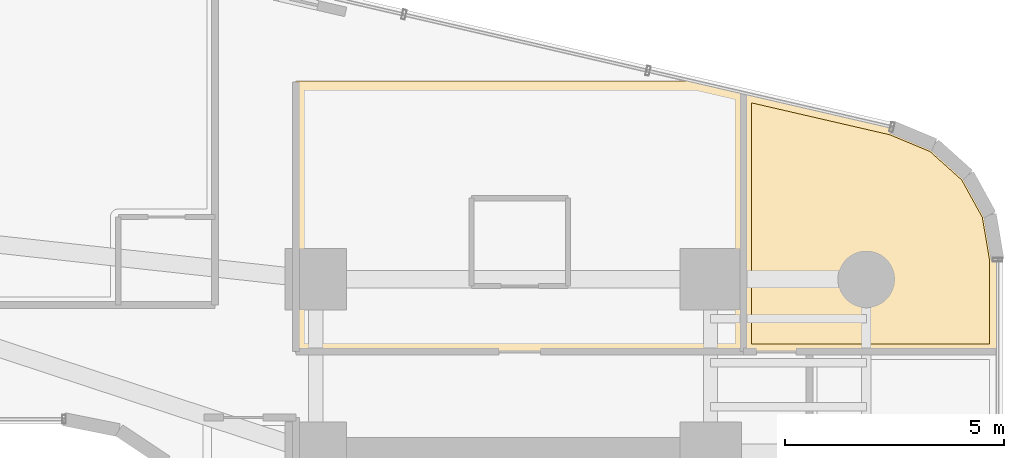
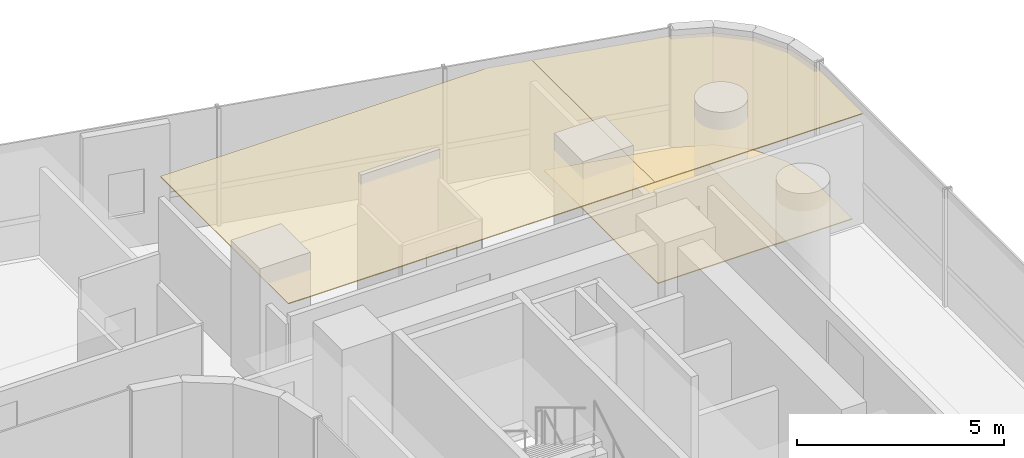
# One storey, part 40 of 40: 3 coverings.
"""IFC4 building model written with IfcOpenShell, lengths in metres."""

from ifc_helpers import new_model, si_unit, direction, frame, origin, place, context, subcontext, project, spatial, polyline, outline, extrude, material, layer, layer_set, type_object, element, save


model = new_model("IFC4")

# Units and contexts
model_context = context("Model", 3, precision=1e-05, world=origin(), true_north=direction((0.0, 1.0)))
body_context = subcontext(model_context, "Body", "Model", "MODEL_VIEW")
ifc_project = project(units=[si_unit("LENGTHUNIT", "METRE"), si_unit("AREAUNIT", "SQUARE_METRE"), si_unit("VOLUMEUNIT", "CUBIC_METRE"), si_unit("PLANEANGLEUNIT", "RADIAN"), si_unit("MASSUNIT", "GRAM", prefix="KILO")], contexts=[model_context])

# Site, building, storey
site_placement = place(None, origin())
site = spatial("IfcSite", under=ifc_project, at=site_placement, CompositionType="ELEMENT")
building_placement = place(site_placement, origin())
building = spatial("IfcBuilding", under=site, at=building_placement, Name="Valdorenza Pilgrim Sanctuary Tower", CompositionType="ELEMENT")
storey_placement = place(building_placement, frame((0.0, 0.0, 92.60009765625)))
storey = spatial("IfcBuildingStorey", under=building, at=storey_placement, Name="L23", CompositionType="ELEMENT", Elevation=92.60009765625)

# Coverings
ifc_material_1 = material(Name="Micro-perforated acoustic mineral ceiling tile", Category="gypsum")
ifc_layer_1 = layer(ifc_material_1, 0.02490234375, Name="Micro-perforated acoustic mineral ceiling tile")
ifc_layer_set_1 = layer_set([ifc_layer_1], Name="Micro-perforated acoustic mineral ceiling tile")
covering_type_1 = type_object("IfcCoveringType", Name="COV-CLG-ACU", PredefinedType="CEILING", material=ifc_layer_set_1)
covering_1_placement = place(storey_placement, frame((0.0, 0.0, 3.159912109375)))
element("IfcCovering", 1, at=covering_1_placement, inside=storey, type_object=covering_type_1, Name="L23 East North Guest Room L23-EN1 Acoustic Ceiling", PredefinedType="CEILING", context=body_context, shape_type="SweptSolid", body=[
    extrude(outline(polyline([(24.5107421875, 18.014892578125), (24.512451171875, 18.014892578125), (24.51416015625, 18.0146484375), (25.603515625, 17.76318359375), (25.604736328125, 17.762939453125), (25.606201171875, 17.76220703125), (25.607421875, 17.76171875), (25.608642578125, 17.760986328125), (25.609619140625, 17.760009765625), (25.61083984375, 17.759033203125), (25.61181640625, 17.758056640625), (25.612548828125, 17.7568359375), (25.61328125, 17.755615234375), (25.614013671875, 17.75439453125), (25.614501953125, 17.7529296875), (25.61474609375, 17.75146484375), (25.614990234375, 17.75), (25.614990234375, 17.74853515625), (25.614990234375, 11.85009765625), (25.614990234375, 11.848388671875), (25.61474609375, 11.84716796875), (25.614501953125, 11.845703125), (25.614013671875, 11.84423828125), (25.61328125, 11.843017578125), (25.612548828125, 11.841796875), (25.611572265625, 11.840576171875), (25.610595703125, 11.83935546875), (25.609619140625, 11.83837890625), (25.6083984375, 11.83740234375), (25.607177734375, 11.8369140625), (25.605712890625, 11.836181640625), (25.6044921875, 11.835693359375), (25.602783203125, 11.835205078125), (25.6015625, 11.835205078125), (25.60009765625, 11.8349609375), (15.39990234375, 11.8349609375), (15.3984375, 11.835205078125), (15.397216796875, 11.835205078125), (15.3955078125, 11.835693359375), (15.394287109375, 11.836181640625), (15.392822265625, 11.8369140625), (15.3916015625, 11.83740234375), (15.390380859375, 11.83837890625), (15.389404296875, 11.83935546875), (15.388427734375, 11.840576171875), (15.387451171875, 11.841796875), (15.38671875, 11.843017578125), (15.385986328125, 11.84423828125), (15.385498046875, 11.845703125), (15.38525390625, 11.84716796875), (15.385009765625, 11.848388671875), (15.385009765625, 11.85009765625), (15.385009765625, 18.0), (15.385009765625, 18.00146484375), (15.38525390625, 18.0029296875), (15.385498046875, 18.00439453125), (15.385986328125, 18.005615234375), (15.38671875, 18.007080078125), (15.387451171875, 18.00830078125), (15.388427734375, 18.009521484375), (15.389404296875, 18.010498046875), (15.390380859375, 18.01171875), (15.3916015625, 18.012451171875), (15.392822265625, 18.01318359375), (15.394287109375, 18.013916015625), (15.3955078125, 18.014404296875), (15.397216796875, 18.0146484375), (15.3984375, 18.014892578125), (15.39990234375, 18.014892578125), (24.5107421875, 18.014892578125)])), origin(), (0.0, 0.0, 1.0), 0.02490234375),
])
covering_2_placement = place(storey_placement, frame((0.0, 0.0, 3.159912109375)))
element("IfcCovering", 2, at=covering_2_placement, inside=storey, type_object=covering_type_1, Name="L23 East Wing Reference Library L23-BNE Acoustic Ceiling", PredefinedType="CEILING", context=body_context, shape_type="SweptSolid", body=[
    extrude(outline(polyline([(28.9892578125, 16.98193359375), (28.990478515625, 16.981689453125), (28.99169921875, 16.981201171875), (29.95361328125, 16.580322265625), (29.955078125, 16.57958984375), (29.95654296875, 16.57861328125), (29.9580078125, 16.57763671875), (30.72705078125, 15.88818359375), (30.728271484375, 15.886962890625), (30.729248046875, 15.8857421875), (30.72998046875, 15.88427734375), (31.22900390625, 14.97998046875), (31.2294921875, 14.978271484375), (31.230224609375, 14.976806640625), (31.230712890625, 14.97509765625), (31.40478515625, 13.947509765625), (31.40478515625, 13.9462890625), (31.405029296875, 13.945068359375), (31.405029296875, 11.85009765625), (31.40478515625, 11.848388671875), (31.40478515625, 11.84716796875), (31.404296875, 11.845703125), (31.40380859375, 11.84423828125), (31.4033203125, 11.843017578125), (31.402587890625, 11.841796875), (31.401611328125, 11.840576171875), (31.400634765625, 11.83935546875), (31.3994140625, 11.83837890625), (31.398193359375, 11.83740234375), (31.397216796875, 11.8369140625), (31.395751953125, 11.836181640625), (31.394287109375, 11.835693359375), (31.392822265625, 11.835205078125), (31.3916015625, 11.835205078125), (31.389892578125, 11.8349609375), (25.60205078125, 11.8349609375), (25.6005859375, 11.835205078125), (25.59912109375, 11.835205078125), (25.59765625, 11.835693359375), (25.59619140625, 11.836181640625), (25.594970703125, 11.8369140625), (25.59375, 11.83740234375), (25.592529296875, 11.83837890625), (25.59130859375, 11.83935546875), (25.59033203125, 11.840576171875), (25.589599609375, 11.841796875), (25.5888671875, 11.843017578125), (25.588134765625, 11.84423828125), (25.587646484375, 11.845703125), (25.58740234375, 11.84716796875), (25.587158203125, 11.848388671875), (25.5869140625, 11.85009765625), (25.5869140625, 17.748291015625), (25.587158203125, 17.749755859375), (25.58740234375, 17.751220703125), (25.587646484375, 17.752685546875), (25.588134765625, 17.75390625), (25.5888671875, 17.75537109375), (25.589599609375, 17.756591796875), (25.590576171875, 17.7578125), (25.591552734375, 17.7587890625), (25.5927734375, 17.760009765625), (25.593994140625, 17.7607421875), (25.59521484375, 17.761474609375), (25.596435546875, 17.76220703125), (25.597900390625, 17.7626953125), (25.599365234375, 17.762939453125), (25.600830078125, 17.76318359375), (25.602294921875, 17.76318359375), (25.60400390625, 17.76318359375), (25.60546875, 17.7626953125), (28.9892578125, 16.98193359375)])), origin(), (0.0, 0.0, 1.0), 0.02490234375),
])
ifc_material_2 = material(Name="Honed travertine stone flooring", Category="masonry")
ifc_layer_2 = layer(ifc_material_2, 0.030029296875, Name="Honed travertine stone flooring")
ifc_layer_set_2 = layer_set([ifc_layer_2], Name="Honed travertine stone flooring")
covering_type_2 = type_object("IfcCoveringType", Name="COV-FLR-TRV", PredefinedType="FLOORING", material=ifc_layer_set_2)
covering_3_placement = place(storey_placement, origin())
element("IfcCovering", 3, at=covering_3_placement, inside=storey, type_object=covering_type_2, Name="L23 East Wing Reference Library L23-BNE Flooring", PredefinedType="FLOORING", context=body_context, shape_type="SweptSolid", body=[
    extrude(outline(polyline([(28.9306640625, 16.79541015625), (29.8505859375, 16.412109375), (30.57421875, 15.763427734375), (31.04345703125, 14.912353515625), (31.2099609375, 13.929931640625), (31.2099609375, 12.030029296875), (25.781982421875, 12.030029296875), (25.781982421875, 17.52197265625), (28.9306640625, 16.79541015625)])), origin(), (0.0, 0.0, 1.0), 0.02490234375),
])

save(model, "model.ifc")
